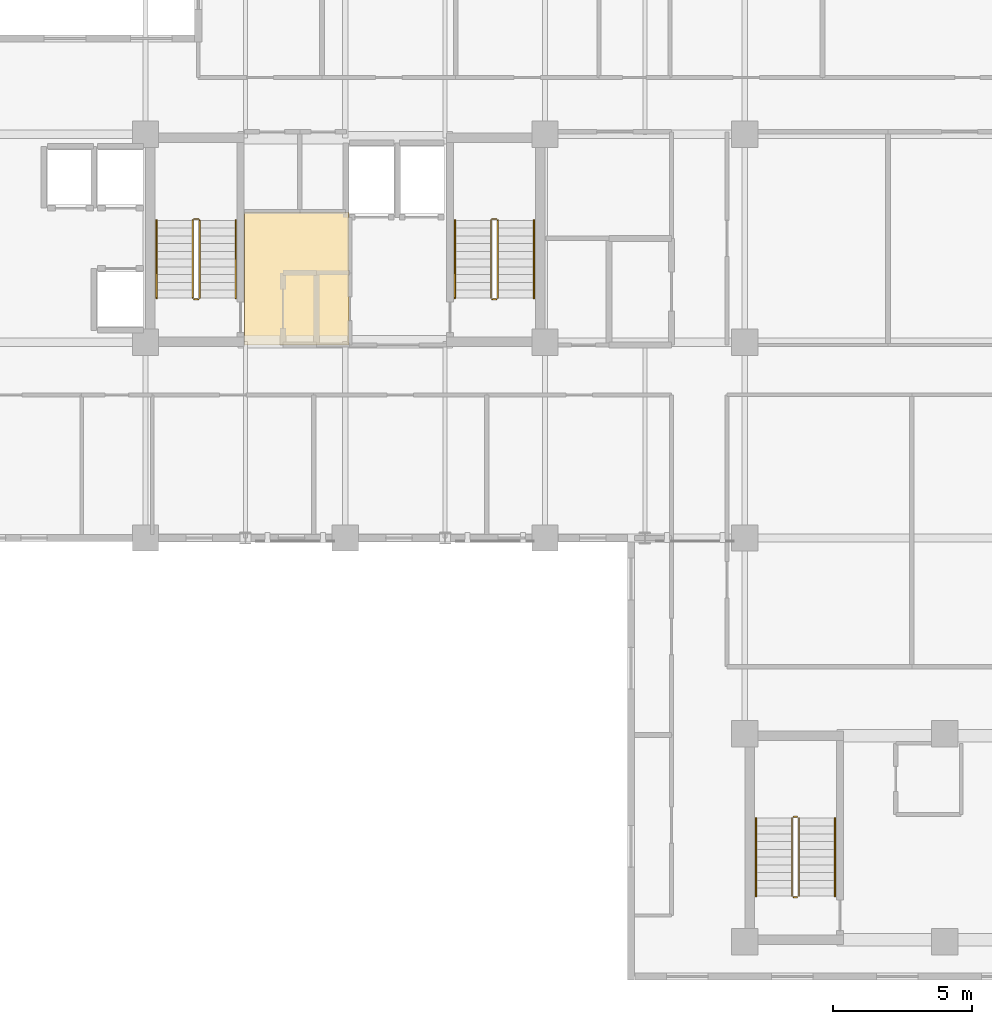
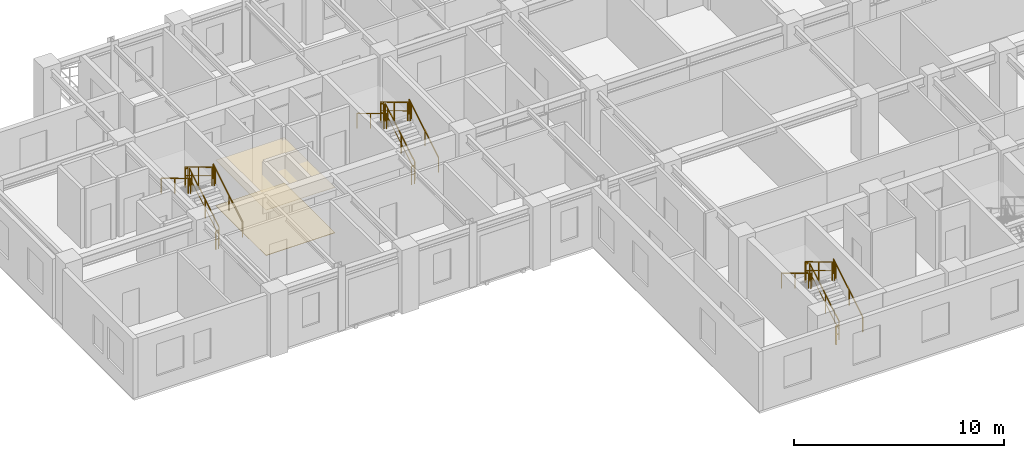
# One storey, part 12 of 14: 18 railings, 2 coverings.
"""IFC4 building model written with IfcOpenShell, lengths in metres."""

from ifc_helpers import new_model, si_unit, direction, frame, origin, origin_2d, place, context, subcontext, project, spatial, rectangle, extrude, source, transform, mapped, material, layer, layer_set, type_object, element, save


model = new_model("IFC4")

# Units and contexts
model_context = context("Model", 3, precision=1e-05, world=origin(), true_north=direction((0.0, 1.0)))
body_context = subcontext(model_context, "Body", "Model", "MODEL_VIEW")
ifc_project = project(units=[si_unit("LENGTHUNIT", "METRE"), si_unit("AREAUNIT", "SQUARE_METRE"), si_unit("VOLUMEUNIT", "CUBIC_METRE"), si_unit("PLANEANGLEUNIT", "RADIAN"), si_unit("MASSUNIT", "GRAM", prefix="KILO")], contexts=[model_context])

# Site, building, storey
site_placement = place(None, origin())
site = spatial("IfcSite", under=ifc_project, at=site_placement, CompositionType="ELEMENT")
building_placement = place(site_placement, origin())
building = spatial("IfcBuilding", under=site, at=building_placement, Name="Kaliganga Portal Commons", CompositionType="ELEMENT")
storey_placement = place(building_placement, frame((0.0, 0.0, 227.699951171875)))
storey = spatial("IfcBuildingStorey", under=building, at=storey_placement, Name="L58", CompositionType="ELEMENT", Elevation=227.699951171875)

# Railings
ifc_material_1 = material(Name="Galvanized Painted Steel Balustrade", Category="steel")
railing_type_1 = type_object("IfcRailingType", Name="RLG-STAIR-GRD", PredefinedType="GUARDRAIL", material=ifc_material_1)
railing_1_placement = place(storey_placement, frame((16.35009765625, 30.25, 0.168212890625)))
element("IfcRailing", 1, at=railing_1_placement, inside=storey, type_object=railing_type_1, Name="L58 ST-A1 stair guard 1", PredefinedType="GUARDRAIL", context=body_context, shape_type="SweptSolid", body=[
    extrude(rectangle(XDim=0.048095703125, YDim=0.048095703125, at=origin_2d()), frame((0.0, 0.0, 1.072021484375), z_axis=(0.0, 0.857242210791, 0.514913383045), x_axis=(-1.0, 0.0, 0.0)), (0.0, 0.0, 1.0), 3.266357421875),
    extrude(rectangle(XDim=0.028076171875, YDim=0.028076171875, at=origin_2d()), frame((0.0, 0.0, 0.572021484375), z_axis=(0.0, 0.857242210791, 0.514913383045), x_axis=(-1.0, 0.0, 0.0)), (0.0, 0.0, 1.0), 3.266357421875),
    extrude(rectangle(XDim=0.0419921875, YDim=0.0419921875, at=origin_2d()), origin(), (0.0, 0.0, 1.0), 1.052001953125),
    extrude(rectangle(XDim=0.0419921875, YDim=0.0419921875, at=origin_2d()), frame((0.0, 1.285888671875, 0.7724609375)), (0.0, 0.0, 1.0), 1.052001953125),
    extrude(rectangle(XDim=0.0419921875, YDim=0.0419921875, at=origin_2d()), frame((0.0, 2.57177734375, 1.544677734375)), (0.0, 0.0, 1.0), 1.052001953125),
    extrude(rectangle(XDim=0.0419921875, YDim=0.0419921875, at=origin_2d()), frame((0.0, 2.800048828125, 1.681884765625)), (0.0, 0.0, 1.0), 1.052001953125),
])
railing_2_placement = place(storey_placement, frame((16.300048828125, 33.10009765625, 1.85009765625)))
element("IfcRailing", 2, at=railing_2_placement, inside=storey, type_object=railing_type_1, Name="L58 ST-A1 stair guard 2", PredefinedType="GUARDRAIL", context=body_context, shape_type="SweptSolid", body=[
    extrude(rectangle(XDim=0.048095703125, YDim=0.048095703125, at=origin_2d()), frame((0.0, 0.0, 1.076171875), z_axis=(-1.0, 0.0, 0.0), x_axis=(0.0, -1.0, 0.0)), (0.0, 0.0, 1.0), 0.150146484375),
    extrude(rectangle(XDim=0.028076171875, YDim=0.028076171875, at=origin_2d()), frame((0.0, 0.0, 0.572021484375), z_axis=(-1.0, 0.0, 0.0), x_axis=(0.0, -1.0, 0.0)), (0.0, 0.0, 1.0), 0.150146484375),
    extrude(rectangle(XDim=0.0419921875, YDim=0.0419921875, at=origin_2d()), origin(), (0.0, 0.0, 1.0), 1.052001953125),
    extrude(rectangle(XDim=0.0419921875, YDim=0.0419921875, at=origin_2d()), frame((-0.150146484375, 0.0, 0.0)), (0.0, 0.0, 1.0), 1.052001953125),
])
railing_3_placement = place(storey_placement, frame((16.10009765625, 33.050048828125, 2.018310546875)))
element("IfcRailing", 3, at=railing_3_placement, inside=storey, type_object=railing_type_1, Name="L58 ST-A1 stair guard 3", PredefinedType="GUARDRAIL", context=body_context, shape_type="SweptSolid", body=[
    extrude(rectangle(XDim=0.048095703125, YDim=0.048095703125, at=origin_2d()), frame((0.0, 0.0, 1.072021484375), z_axis=(0.0, -0.857275202839, 0.514858452973), x_axis=(1.0, 0.0, 0.0)), (0.0, 0.0, 1.0), 3.26611328125),
    extrude(rectangle(XDim=0.028076171875, YDim=0.028076171875, at=origin_2d()), frame((0.0, 0.0, 0.572021484375), z_axis=(0.0, -0.857275202839, 0.514858452973), x_axis=(1.0, 0.0, 0.0)), (0.0, 0.0, 1.0), 3.26611328125),
    extrude(rectangle(XDim=0.0419921875, YDim=0.0419921875, at=origin_2d()), origin(), (0.0, 0.0, 1.0), 1.052001953125),
    extrude(rectangle(XDim=0.0419921875, YDim=0.0419921875, at=origin_2d()), frame((0.0, -1.285888671875, 0.772216796875)), (0.0, 0.0, 1.0), 1.052001953125),
    extrude(rectangle(XDim=0.0419921875, YDim=0.0419921875, at=origin_2d()), frame((0.0, -2.57177734375, 1.544677734375)), (0.0, 0.0, 1.0), 1.052001953125),
    extrude(rectangle(XDim=0.0419921875, YDim=0.0419921875, at=origin_2d()), frame((0.0, -2.800048828125, 1.681640625)), (0.0, 0.0, 1.0), 1.052001953125),
])
railing_4_placement = place(storey_placement, frame((16.300048828125, 30.199951171875, 0.0)))
element("IfcRailing", 4, at=railing_4_placement, inside=storey, type_object=railing_type_1, Name="L58 ST-A1 stair guard 4", PredefinedType="GUARDRAIL", context=body_context, shape_type="SweptSolid", body=[
    extrude(rectangle(XDim=0.048095703125, YDim=0.048095703125, at=origin_2d()), frame((0.0, 0.0, 1.076171875), z_axis=(-1.0, 0.0, 0.0), x_axis=(0.0, -1.0, 0.0)), (0.0, 0.0, 1.0), 0.150146484375),
    extrude(rectangle(XDim=0.028076171875, YDim=0.028076171875, at=origin_2d()), frame((0.0, 0.0, 0.572021484375), z_axis=(-1.0, 0.0, 0.0), x_axis=(0.0, -1.0, 0.0)), (0.0, 0.0, 1.0), 0.150146484375),
    extrude(rectangle(XDim=0.0419921875, YDim=0.0419921875, at=origin_2d()), origin(), (0.0, 0.0, 1.0), 1.052001953125),
    extrude(rectangle(XDim=0.0419921875, YDim=0.0419921875, at=origin_2d()), frame((-0.150146484375, 0.0, 0.0)), (0.0, 0.0, 1.0), 1.052001953125),
])
railing_5_placement = place(storey_placement, frame((27.10009765625, 30.25, 0.168212890625)))
element("IfcRailing", 5, at=railing_5_placement, inside=storey, type_object=railing_type_1, Name="L58 ST-A2 stair guard 1", PredefinedType="GUARDRAIL", context=body_context, shape_type="SweptSolid", body=[
    extrude(rectangle(XDim=0.048095703125, YDim=0.048095703125, at=origin_2d()), frame((0.0, 0.0, 1.072021484375), z_axis=(0.0, 0.857242210791, 0.514913383045), x_axis=(-1.0, 0.0, 0.0)), (0.0, 0.0, 1.0), 3.266357421875),
    extrude(rectangle(XDim=0.028076171875, YDim=0.028076171875, at=origin_2d()), frame((0.0, 0.0, 0.572021484375), z_axis=(0.0, 0.857242210791, 0.514913383045), x_axis=(-1.0, 0.0, 0.0)), (0.0, 0.0, 1.0), 3.266357421875),
    extrude(rectangle(XDim=0.0419921875, YDim=0.0419921875, at=origin_2d()), origin(), (0.0, 0.0, 1.0), 1.052001953125),
    extrude(rectangle(XDim=0.0419921875, YDim=0.0419921875, at=origin_2d()), frame((0.0, 1.285888671875, 0.7724609375)), (0.0, 0.0, 1.0), 1.052001953125),
    extrude(rectangle(XDim=0.0419921875, YDim=0.0419921875, at=origin_2d()), frame((0.0, 2.57177734375, 1.544677734375)), (0.0, 0.0, 1.0), 1.052001953125),
    extrude(rectangle(XDim=0.0419921875, YDim=0.0419921875, at=origin_2d()), frame((0.0, 2.800048828125, 1.681884765625)), (0.0, 0.0, 1.0), 1.052001953125),
])
railing_6_placement = place(storey_placement, frame((27.050048828125, 33.10009765625, 1.85009765625)))
element("IfcRailing", 6, at=railing_6_placement, inside=storey, type_object=railing_type_1, Name="L58 ST-A2 stair guard 2", PredefinedType="GUARDRAIL", context=body_context, shape_type="SweptSolid", body=[
    extrude(rectangle(XDim=0.048095703125, YDim=0.048095703125, at=origin_2d()), frame((0.0, 0.0, 1.076171875), z_axis=(-1.0, 0.0, 0.0), x_axis=(0.0, -1.0, 0.0)), (0.0, 0.0, 1.0), 0.150146484375),
    extrude(rectangle(XDim=0.028076171875, YDim=0.028076171875, at=origin_2d()), frame((0.0, 0.0, 0.572021484375), z_axis=(-1.0, 0.0, 0.0), x_axis=(0.0, -1.0, 0.0)), (0.0, 0.0, 1.0), 0.150146484375),
    extrude(rectangle(XDim=0.0419921875, YDim=0.0419921875, at=origin_2d()), origin(), (0.0, 0.0, 1.0), 1.052001953125),
    extrude(rectangle(XDim=0.0419921875, YDim=0.0419921875, at=origin_2d()), frame((-0.150146484375, 0.0, 0.0)), (0.0, 0.0, 1.0), 1.052001953125),
])
railing_7_placement = place(storey_placement, frame((26.85009765625, 33.050048828125, 2.018310546875)))
element("IfcRailing", 7, at=railing_7_placement, inside=storey, type_object=railing_type_1, Name="L58 ST-A2 stair guard 3", PredefinedType="GUARDRAIL", context=body_context, shape_type="SweptSolid", body=[
    extrude(rectangle(XDim=0.048095703125, YDim=0.048095703125, at=origin_2d()), frame((0.0, 0.0, 1.072021484375), z_axis=(0.0, -0.857275202839, 0.514858452973), x_axis=(1.0, 0.0, 0.0)), (0.0, 0.0, 1.0), 3.26611328125),
    extrude(rectangle(XDim=0.028076171875, YDim=0.028076171875, at=origin_2d()), frame((0.0, 0.0, 0.572021484375), z_axis=(0.0, -0.857275202839, 0.514858452973), x_axis=(1.0, 0.0, 0.0)), (0.0, 0.0, 1.0), 3.26611328125),
    extrude(rectangle(XDim=0.0419921875, YDim=0.0419921875, at=origin_2d()), origin(), (0.0, 0.0, 1.0), 1.052001953125),
    extrude(rectangle(XDim=0.0419921875, YDim=0.0419921875, at=origin_2d()), frame((0.0, -1.285888671875, 0.772216796875)), (0.0, 0.0, 1.0), 1.052001953125),
    extrude(rectangle(XDim=0.0419921875, YDim=0.0419921875, at=origin_2d()), frame((0.0, -2.57177734375, 1.544677734375)), (0.0, 0.0, 1.0), 1.052001953125),
    extrude(rectangle(XDim=0.0419921875, YDim=0.0419921875, at=origin_2d()), frame((0.0, -2.800048828125, 1.681640625)), (0.0, 0.0, 1.0), 1.052001953125),
])
railing_8_placement = place(storey_placement, frame((27.050048828125, 30.199951171875, 0.0)))
element("IfcRailing", 8, at=railing_8_placement, inside=storey, type_object=railing_type_1, Name="L58 ST-A2 stair guard 4", PredefinedType="GUARDRAIL", context=body_context, shape_type="SweptSolid", body=[
    extrude(rectangle(XDim=0.048095703125, YDim=0.048095703125, at=origin_2d()), frame((0.0, 0.0, 1.076171875), z_axis=(-1.0, 0.0, 0.0), x_axis=(0.0, -1.0, 0.0)), (0.0, 0.0, 1.0), 0.150146484375),
    extrude(rectangle(XDim=0.028076171875, YDim=0.028076171875, at=origin_2d()), frame((0.0, 0.0, 0.572021484375), z_axis=(-1.0, 0.0, 0.0), x_axis=(0.0, -1.0, 0.0)), (0.0, 0.0, 1.0), 0.150146484375),
    extrude(rectangle(XDim=0.0419921875, YDim=0.0419921875, at=origin_2d()), origin(), (0.0, 0.0, 1.0), 1.052001953125),
    extrude(rectangle(XDim=0.0419921875, YDim=0.0419921875, at=origin_2d()), frame((-0.150146484375, 0.0, 0.0)), (0.0, 0.0, 1.0), 1.052001953125),
])
railing_9_placement = place(storey_placement, frame((37.949951171875, 8.699951171875, 0.168212890625)))
element("IfcRailing", 9, at=railing_9_placement, inside=storey, type_object=railing_type_1, Name="L58 ST-B1 stair guard 1", PredefinedType="GUARDRAIL", context=body_context, shape_type="SweptSolid", body=[
    extrude(rectangle(XDim=0.048095703125, YDim=0.048095703125, at=origin_2d()), frame((0.0, 0.0, 1.072021484375), z_axis=(0.0, 0.857242210791, 0.514913383045), x_axis=(-1.0, 0.0, 0.0)), (0.0, 0.0, 1.0), 3.266357421875),
    extrude(rectangle(XDim=0.028076171875, YDim=0.028076171875, at=origin_2d()), frame((0.0, 0.0, 0.572021484375), z_axis=(0.0, 0.857242210791, 0.514913383045), x_axis=(-1.0, 0.0, 0.0)), (0.0, 0.0, 1.0), 3.266357421875),
    extrude(rectangle(XDim=0.0419921875, YDim=0.0419921875, at=origin_2d()), origin(), (0.0, 0.0, 1.0), 1.052001953125),
    extrude(rectangle(XDim=0.0419921875, YDim=0.0419921875, at=origin_2d()), frame((0.0, 1.285888671875, 0.7724609375)), (0.0, 0.0, 1.0), 1.052001953125),
    extrude(rectangle(XDim=0.0419921875, YDim=0.0419921875, at=origin_2d()), frame((0.0, 2.57177734375, 1.544677734375)), (0.0, 0.0, 1.0), 1.052001953125),
    extrude(rectangle(XDim=0.0419921875, YDim=0.0419921875, at=origin_2d()), frame((0.0, 2.800048828125, 1.681884765625)), (0.0, 0.0, 1.0), 1.052001953125),
])
railing_10_placement = place(storey_placement, frame((37.89990234375, 11.550048828125, 1.85009765625)))
element("IfcRailing", 10, at=railing_10_placement, inside=storey, type_object=railing_type_1, Name="L58 ST-B1 stair guard 2", PredefinedType="GUARDRAIL", context=body_context, shape_type="SweptSolid", body=[
    extrude(rectangle(XDim=0.048095703125, YDim=0.048095703125, at=origin_2d()), frame((0.0, 0.0, 1.076171875), z_axis=(-1.0, 0.0, 0.0), x_axis=(0.0, -1.0, 0.0)), (0.0, 0.0, 1.0), 0.14990234375),
    extrude(rectangle(XDim=0.028076171875, YDim=0.028076171875, at=origin_2d()), frame((0.0, 0.0, 0.572021484375), z_axis=(-1.0, 0.0, 0.0), x_axis=(0.0, -1.0, 0.0)), (0.0, 0.0, 1.0), 0.14990234375),
    extrude(rectangle(XDim=0.0419921875, YDim=0.0419921875, at=origin_2d()), frame((-0.14990234375, 0.0, 0.0)), (0.0, 0.0, 1.0), 1.052001953125),
])
railing_11_placement = place(storey_placement, frame((37.699951171875, 11.5, 2.018310546875)))
element("IfcRailing", 11, at=railing_11_placement, inside=storey, type_object=railing_type_1, Name="L58 ST-B1 stair guard 3", PredefinedType="GUARDRAIL", context=body_context, shape_type="SweptSolid", body=[
    extrude(rectangle(XDim=0.048095703125, YDim=0.048095703125, at=origin_2d()), frame((0.0, 0.0, 1.072021484375), z_axis=(0.0, -0.857275202839, 0.514858452973), x_axis=(1.0, 0.0, 0.0)), (0.0, 0.0, 1.0), 3.26611328125),
    extrude(rectangle(XDim=0.028076171875, YDim=0.028076171875, at=origin_2d()), frame((0.0, 0.0, 0.572021484375), z_axis=(0.0, -0.857275202839, 0.514858452973), x_axis=(1.0, 0.0, 0.0)), (0.0, 0.0, 1.0), 3.26611328125),
    extrude(rectangle(XDim=0.0419921875, YDim=0.0419921875, at=origin_2d()), origin(), (0.0, 0.0, 1.0), 1.052001953125),
    extrude(rectangle(XDim=0.0419921875, YDim=0.0419921875, at=origin_2d()), frame((0.0, -1.285888671875, 0.772216796875)), (0.0, 0.0, 1.0), 1.052001953125),
    extrude(rectangle(XDim=0.0419921875, YDim=0.0419921875, at=origin_2d()), frame((0.0, -2.57177734375, 1.544677734375)), (0.0, 0.0, 1.0), 1.052001953125),
    extrude(rectangle(XDim=0.0419921875, YDim=0.0419921875, at=origin_2d()), frame((0.0, -2.800048828125, 1.681640625)), (0.0, 0.0, 1.0), 1.052001953125),
])
railing_12_placement = place(storey_placement, frame((37.89990234375, 8.64990234375, 0.0)))
element("IfcRailing", 12, at=railing_12_placement, inside=storey, type_object=railing_type_1, Name="L58 ST-B1 stair guard 4", PredefinedType="GUARDRAIL", context=body_context, shape_type="SweptSolid", body=[
    extrude(rectangle(XDim=0.048095703125, YDim=0.048095703125, at=origin_2d()), frame((0.0, 0.0, 1.076171875), z_axis=(-1.0, 0.0, 0.0), x_axis=(0.0, -1.0, 0.0)), (0.0, 0.0, 1.0), 0.14990234375),
    extrude(rectangle(XDim=0.028076171875, YDim=0.028076171875, at=origin_2d()), frame((0.0, 0.0, 0.572021484375), z_axis=(-1.0, 0.0, 0.0), x_axis=(0.0, -1.0, 0.0)), (0.0, 0.0, 1.0), 0.14990234375),
    extrude(rectangle(XDim=0.0419921875, YDim=0.0419921875, at=origin_2d()), frame((-0.14990234375, 0.0, 0.0)), (0.0, 0.0, 1.0), 1.052001953125),
])
ifc_material_2 = material(Name="Brushed Stainless Steel 316", Category="steel")
railing_type_2 = type_object("IfcRailingType", Name="RLG-STAIR-HR", PredefinedType="HANDRAIL", material=ifc_material_2)
railing_13_placement = place(storey_placement, frame((17.64990234375, 30.25, 0.168212890625)))
element("IfcRailing", 13, at=railing_13_placement, inside=storey, type_object=railing_type_2, Name="L58 ST-A1 stair handrail 1", PredefinedType="HANDRAIL", context=body_context, shape_type="SweptSolid", body=[
    extrude(rectangle(XDim=0.048095703125, YDim=0.048095703125, at=origin_2d()), frame((0.0, 0.0, 0.871826171875), z_axis=(0.0, 0.857242210791, 0.514913383045), x_axis=(-1.0, 0.0, 0.0)), (0.0, 0.0, 1.0), 3.266357421875),
    extrude(rectangle(XDim=0.0419921875, YDim=0.0419921875, at=origin_2d()), origin(), (0.0, 0.0, 1.0), 0.851806640625),
    extrude(rectangle(XDim=0.0419921875, YDim=0.0419921875, at=origin_2d()), frame((0.0, 1.285888671875, 0.7724609375)), (0.0, 0.0, 1.0), 0.851806640625),
    extrude(rectangle(XDim=0.0419921875, YDim=0.0419921875, at=origin_2d()), frame((0.0, 2.57177734375, 1.544677734375)), (0.0, 0.0, 1.0), 0.851806640625),
    extrude(rectangle(XDim=0.0419921875, YDim=0.0419921875, at=origin_2d()), frame((0.0, 2.800048828125, 1.681884765625)), (0.0, 0.0, 1.0), 0.851806640625),
])
railing_14_placement = place(storey_placement, frame((14.800048828125, 33.050048828125, 2.018310546875)))
element("IfcRailing", 14, at=railing_14_placement, inside=storey, type_object=railing_type_2, Name="L58 ST-A1 stair handrail 2", PredefinedType="HANDRAIL", context=body_context, shape_type="SweptSolid", body=[
    extrude(rectangle(XDim=0.048095703125, YDim=0.048095703125, at=origin_2d()), frame((0.0, 0.0, 0.871826171875), z_axis=(0.0, -0.857275202839, 0.514858452973), x_axis=(1.0, 0.0, 0.0)), (0.0, 0.0, 1.0), 3.26611328125),
    extrude(rectangle(XDim=0.0419921875, YDim=0.0419921875, at=origin_2d()), origin(), (0.0, 0.0, 1.0), 0.851806640625),
    extrude(rectangle(XDim=0.0419921875, YDim=0.0419921875, at=origin_2d()), frame((0.0, -1.285888671875, 0.772216796875)), (0.0, 0.0, 1.0), 0.851806640625),
    extrude(rectangle(XDim=0.0419921875, YDim=0.0419921875, at=origin_2d()), frame((0.0, -2.57177734375, 1.544677734375)), (0.0, 0.0, 1.0), 0.851806640625),
    extrude(rectangle(XDim=0.0419921875, YDim=0.0419921875, at=origin_2d()), frame((0.0, -2.800048828125, 1.681640625)), (0.0, 0.0, 1.0), 0.851806640625),
])
railing_15_placement = place(storey_placement, frame((28.39990234375, 30.25, 0.168212890625)))
element("IfcRailing", 15, at=railing_15_placement, inside=storey, type_object=railing_type_2, Name="L58 ST-A2 stair handrail 1", PredefinedType="HANDRAIL", context=body_context, shape_type="SweptSolid", body=[
    extrude(rectangle(XDim=0.048095703125, YDim=0.048095703125, at=origin_2d()), frame((0.0, 0.0, 0.871826171875), z_axis=(0.0, 0.857242210791, 0.514913383045), x_axis=(-1.0, 0.0, 0.0)), (0.0, 0.0, 1.0), 3.266357421875),
    extrude(rectangle(XDim=0.0419921875, YDim=0.0419921875, at=origin_2d()), origin(), (0.0, 0.0, 1.0), 0.851806640625),
    extrude(rectangle(XDim=0.0419921875, YDim=0.0419921875, at=origin_2d()), frame((0.0, 1.285888671875, 0.7724609375)), (0.0, 0.0, 1.0), 0.851806640625),
    extrude(rectangle(XDim=0.0419921875, YDim=0.0419921875, at=origin_2d()), frame((0.0, 2.57177734375, 1.544677734375)), (0.0, 0.0, 1.0), 0.851806640625),
    extrude(rectangle(XDim=0.0419921875, YDim=0.0419921875, at=origin_2d()), frame((0.0, 2.800048828125, 1.681884765625)), (0.0, 0.0, 1.0), 0.851806640625),
])
railing_16_placement = place(storey_placement, frame((25.550048828125, 33.050048828125, 2.018310546875)))
element("IfcRailing", 16, at=railing_16_placement, inside=storey, type_object=railing_type_2, Name="L58 ST-A2 stair handrail 2", PredefinedType="HANDRAIL", context=body_context, shape_type="SweptSolid", body=[
    extrude(rectangle(XDim=0.048095703125, YDim=0.048095703125, at=origin_2d()), frame((0.0, 0.0, 0.871826171875), z_axis=(0.0, -0.857275202839, 0.514858452973), x_axis=(1.0, 0.0, 0.0)), (0.0, 0.0, 1.0), 3.26611328125),
    extrude(rectangle(XDim=0.0419921875, YDim=0.0419921875, at=origin_2d()), origin(), (0.0, 0.0, 1.0), 0.851806640625),
    extrude(rectangle(XDim=0.0419921875, YDim=0.0419921875, at=origin_2d()), frame((0.0, -1.285888671875, 0.772216796875)), (0.0, 0.0, 1.0), 0.851806640625),
    extrude(rectangle(XDim=0.0419921875, YDim=0.0419921875, at=origin_2d()), frame((0.0, -2.57177734375, 1.544677734375)), (0.0, 0.0, 1.0), 0.851806640625),
    extrude(rectangle(XDim=0.0419921875, YDim=0.0419921875, at=origin_2d()), frame((0.0, -2.800048828125, 1.681640625)), (0.0, 0.0, 1.0), 0.851806640625),
])
railing_17_placement = place(storey_placement, frame((39.25, 8.699951171875, 0.168212890625)))
element("IfcRailing", 17, at=railing_17_placement, inside=storey, type_object=railing_type_2, Name="L58 ST-B1 stair handrail 1", PredefinedType="HANDRAIL", context=body_context, shape_type="SweptSolid", body=[
    extrude(rectangle(XDim=0.048095703125, YDim=0.048095703125, at=origin_2d()), frame((0.0, 0.0, 0.871826171875), z_axis=(0.0, 0.857242210791, 0.514913383045), x_axis=(-1.0, 0.0, 0.0)), (0.0, 0.0, 1.0), 3.266357421875),
    extrude(rectangle(XDim=0.0419921875, YDim=0.0419921875, at=origin_2d()), origin(), (0.0, 0.0, 1.0), 0.851806640625),
    extrude(rectangle(XDim=0.0419921875, YDim=0.0419921875, at=origin_2d()), frame((0.0, 1.285888671875, 0.7724609375)), (0.0, 0.0, 1.0), 0.851806640625),
    extrude(rectangle(XDim=0.0419921875, YDim=0.0419921875, at=origin_2d()), frame((0.0, 2.57177734375, 1.544677734375)), (0.0, 0.0, 1.0), 0.851806640625),
    extrude(rectangle(XDim=0.0419921875, YDim=0.0419921875, at=origin_2d()), frame((0.0, 2.800048828125, 1.681884765625)), (0.0, 0.0, 1.0), 0.851806640625),
])
railing_18_placement = place(storey_placement, frame((36.39990234375, 11.5, 2.018310546875)))
element("IfcRailing", 18, at=railing_18_placement, inside=storey, type_object=railing_type_2, Name="L58 ST-B1 stair handrail 2", PredefinedType="HANDRAIL", context=body_context, shape_type="SweptSolid", body=[
    extrude(rectangle(XDim=0.048095703125, YDim=0.048095703125, at=origin_2d()), frame((0.0, 0.0, 0.871826171875), z_axis=(0.0, -0.857275202839, 0.514858452973), x_axis=(1.0, 0.0, 0.0)), (0.0, 0.0, 1.0), 3.26611328125),
    extrude(rectangle(XDim=0.0419921875, YDim=0.0419921875, at=origin_2d()), origin(), (0.0, 0.0, 1.0), 0.851806640625),
    extrude(rectangle(XDim=0.0419921875, YDim=0.0419921875, at=origin_2d()), frame((0.0, -1.285888671875, 0.772216796875)), (0.0, 0.0, 1.0), 0.851806640625),
    extrude(rectangle(XDim=0.0419921875, YDim=0.0419921875, at=origin_2d()), frame((0.0, -2.57177734375, 1.544677734375)), (0.0, 0.0, 1.0), 0.851806640625),
    extrude(rectangle(XDim=0.0419921875, YDim=0.0419921875, at=origin_2d()), frame((0.0, -2.800048828125, 1.681640625)), (0.0, 0.0, 1.0), 0.851806640625),
])

# Coverings
ifc_material_3 = material(Name="Acoustic Micro-Perforated Gypsum Ceiling", Category="gypsum")
ifc_layer_1 = layer(ifc_material_3, 0.02001953125)
ifc_layer_set_1 = layer_set([ifc_layer_1], Name="Acoustic Micro-Perforated Gypsum Ceiling")
covering_type_1 = type_object("IfcCoveringType", Name="COV-CEIL-GYP", PredefinedType="CEILING", material=ifc_layer_set_1)
shared_shape_1 = source(origin(), body_context, "Body", "SweptSolid", [
    extrude(rectangle(XDim=3.780029296875, YDim=4.780029296875, at=origin_2d()), origin(), (0.0, 0.0, 1.0), 0.02001953125),
])
covering_1_placement = place(storey_placement, frame((19.85009765625, 30.949951171875, 2.64013671875), z_axis=(0.0, 0.0, 1.0), x_axis=(1.0, 0.0, 0.0)))
element("IfcCovering", 19, at=covering_1_placement, inside=storey, type_object=covering_type_1, Name="Acoustic Ceiling L58 PLOB_A", PredefinedType="CEILING", context=body_context, shape_type="MappedRepresentation", body=[
    mapped(shared_shape_1, transform((0.0, 0.0, 0.0), x_axis=(1.0, 0.0, 0.0), y_axis=(0.0, 1.0, 0.0), z_axis=(0.0, 0.0, 1.0), scale=1.0)),
])
ifc_material_4 = material(Name="Polished Sylhet Stone Terrazzo Flooring", Category="masonry")
ifc_layer_2 = layer(ifc_material_4, 0.02490234375)
ifc_layer_set_2 = layer_set([ifc_layer_2], Name="Polished Sylhet Stone Terrazzo Flooring")
covering_type_2 = type_object("IfcCoveringType", Name="COV-FLR-TERRAZZO", PredefinedType="FLOORING", material=ifc_layer_set_2)
shared_shape_2 = source(origin(), body_context, "Body", "SweptSolid", [
    extrude(rectangle(XDim=3.780029296875, YDim=4.780029296875, at=origin_2d()), origin(), (0.0, 0.0, 1.0), 0.02490234375),
])
covering_2_placement = place(storey_placement, frame((19.85009765625, 30.949951171875, 0.00048828125), z_axis=(0.0, 0.0, 1.0), x_axis=(1.0, 0.0, 0.0)))
element("IfcCovering", 20, at=covering_2_placement, inside=storey, type_object=covering_type_2, Name="Terrazzo Flooring L58 PLOB_A", PredefinedType="FLOORING", context=body_context, shape_type="MappedRepresentation", body=[
    mapped(shared_shape_2, transform((0.0, 0.0, 0.0), x_axis=(1.0, 0.0, 0.0), y_axis=(0.0, 1.0, 0.0), z_axis=(0.0, 0.0, 1.0), scale=1.0)),
])

save(model, "model.ifc")
